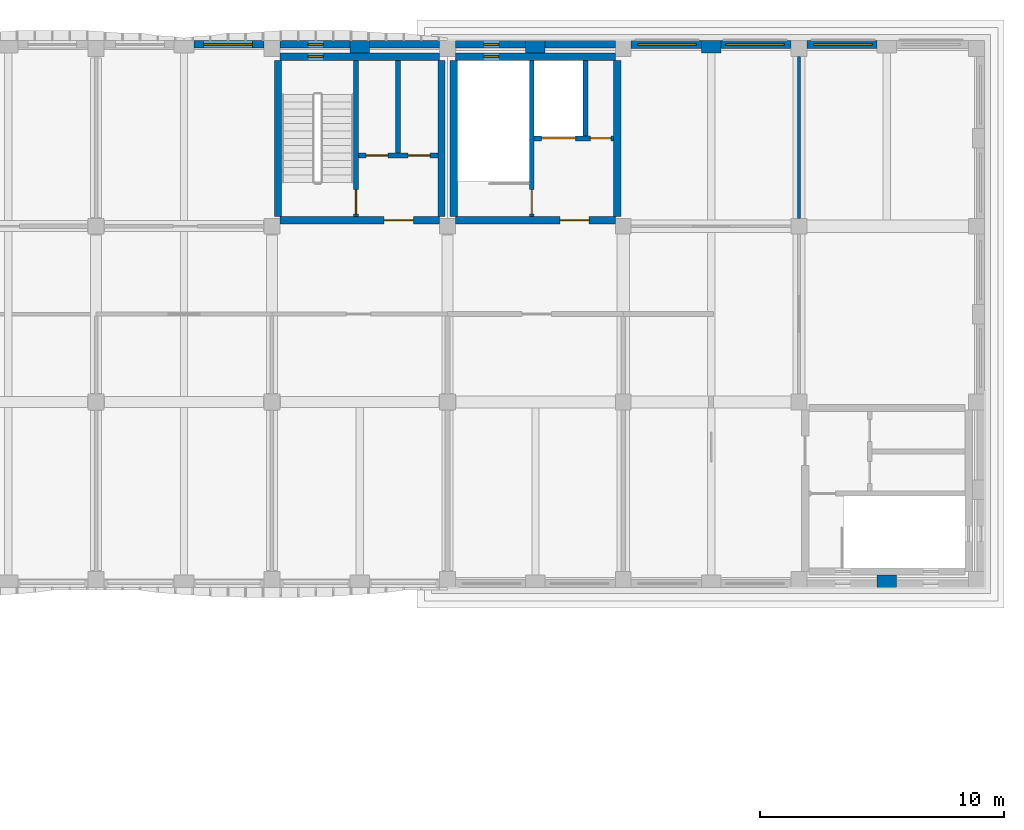
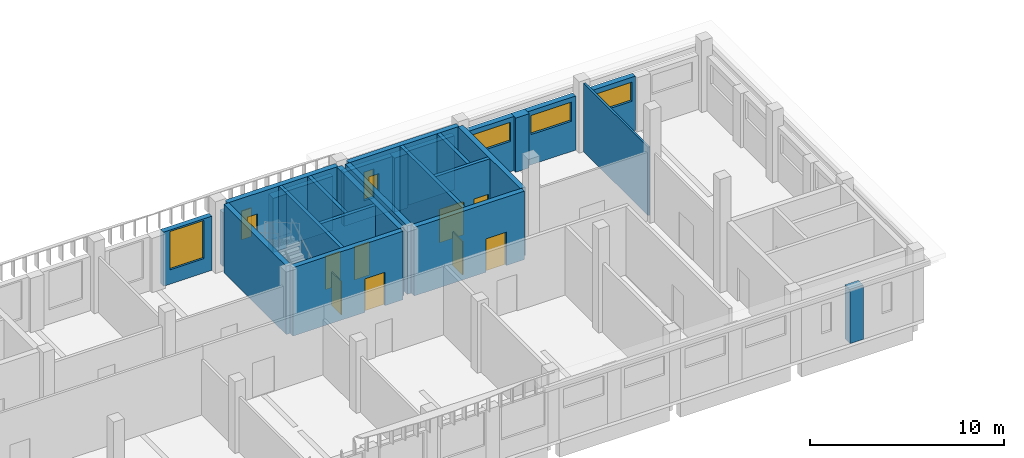
# One storey, part 31 of 58: 27 walls, 8 doors, 8 windows, 16 openings.
"""IFC4 building model written with IfcOpenShell, lengths in metres."""

from ifc_helpers import new_model, si_unit, direction, frame, frame_2d, origin, place, context, subcontext, project, spatial, rectangle, extrude, material, layer, layer_set, type_object, element, fill, save


model = new_model("IFC4")

# Units and contexts
model_context = context("Model", 3, precision=1e-05, world=origin(), true_north=direction((0.0, 1.0)))
body_context = subcontext(model_context, "Body", "Model", "MODEL_VIEW")
ifc_project = project(units=[si_unit("LENGTHUNIT", "METRE"), si_unit("AREAUNIT", "SQUARE_METRE"), si_unit("VOLUMEUNIT", "CUBIC_METRE"), si_unit("PLANEANGLEUNIT", "RADIAN"), si_unit("MASSUNIT", "GRAM", prefix="KILO")], contexts=[model_context])

# Site, building, storey
site_placement = place(None, origin())
site = spatial("IfcSite", under=ifc_project, at=site_placement, CompositionType="ELEMENT")
building_placement = place(site_placement, origin())
building = spatial("IfcBuilding", under=site, at=building_placement, Name="Ussher Court Research Institute", CompositionType="ELEMENT")
storey_placement = place(building_placement, frame((0.0, 0.0, 9.89990234375)))
storey = spatial("IfcBuildingStorey", under=building, at=storey_placement, Name="L02", CompositionType="ELEMENT", Elevation=9.89990234375)

# Wall
ifc_material_1 = material(Name="Insulated sandwich wall panel")
ifc_layer_1 = layer(ifc_material_1, 0.1201171875)
ifc_layer_set_1 = layer_set([ifc_layer_1], Name="Insulated sandwich wall panel")
wall_type_1 = type_object("IfcWallType", Name="Clean-room panel 120 EI 60", PredefinedType="PARTITIONING", material=ifc_layer_set_1)
wall_1_placement = place(storey_placement, frame((96.60009765625, 83.52490234375, 0.0), z_axis=(0.0, 0.0, 1.0), x_axis=(0.0, 1.0, 0.0)))
element("IfcWall", 1, at=wall_1_placement, inside=storey, type_object=wall_type_1, Name="Fire partition", PredefinedType="PARTITIONING", context=body_context, shape_type="SweptSolid", body=[
    extrude(rectangle(XDim=6.625, YDim=0.1201171875, at=frame_2d((3.3125, 0.0))), origin(), (0.0, 0.0, 1.0), 4.300048828125),
])

# Wall, opening, window
ifc_material_2 = material(Name="Faience facing on insulated blockwork", Category="masonry")
ifc_layer_2 = layer(ifc_material_2, 0.320068359375)
ifc_layer_set_2 = layer_set([ifc_layer_2], Name="Faience facing on insulated blockwork")
wall_type_2 = type_object("IfcWallType", Name="Clean-room wall 320 faience faced insulated panel", PredefinedType="SOLIDWALL", material=ifc_layer_set_2)
wall_2_placement = place(storey_placement, frame((89.72509765625, 90.639892578125, 0.0), z_axis=(0.0, 0.0, 1.0), x_axis=(1.0, 0.0, 0.0)))
wall_2 = element("IfcWall", 2, at=wall_2_placement, inside=storey, type_object=wall_type_2, Name="External wall EW3 L02", PredefinedType="SOLIDWALL", context=body_context, shape_type="SweptSolid", body=[
    extrude(rectangle(XDim=2.875, YDim=0.320068359375, at=frame_2d((1.4375, 0.0))), origin(), (0.0, 0.0, 1.0), 3.400146484375),
])
opening_1_placement = place(wall_2_placement, frame((0.27490234375, 0.0, 1.89990234375)))
opening_1 = element("IfcOpeningElement", 3, at=opening_1_placement, cuts=wall_2, Name="Opening W04", PredefinedType="OPENING", context=body_context, shape_type="SweptSolid", body=[
    extrude(rectangle(XDim=2.39990234375, YDim=1.199951171875, at=frame_2d((1.199951171875, 0.60009765625))), frame((0.0, 0.169921875, 0.0), z_axis=(0.0, -1.0, 0.0), x_axis=(1.0, 0.0, 0.0)), (0.0, 0.0, 1.0), 0.340087890625),
])
ifc_material_3 = material(Name="Bronze anodised aluminium with double glazing", Category="aluminium")
window_type_1 = type_object("IfcWindowType", Name="Clean-room clerestory window 2400x1200", PartitioningType="TRIPLE_PANEL_HORIZONTAL", PredefinedType="WINDOW", material=ifc_material_3)
window_1_placement = place(opening_1_placement, origin())
window_1 = element("IfcWindow", 4, at=window_1_placement, inside=storey, type_object=window_type_1, Name="Window W04 L02", OverallHeight=1.199951171875, OverallWidth=2.39990234375, PartitioningType="SINGLE_PANEL", PredefinedType="WINDOW", context=body_context, shape_type="SweptSolid", body=[
    extrude(rectangle(XDim=2.39990234375, YDim=1.199951171875, at=frame_2d((1.199951171875, 0.60009765625))), frame((0.0, 0.030029296875, 0.0), z_axis=(0.0, -1.0, 0.0), x_axis=(1.0, 0.0, 0.0)), (0.0, 0.0, 1.0), 0.06005859375),
])
fill(opening_1, window_1)

wall_3_placement = place(storey_placement, frame((93.39990234375, 90.639892578125, 0.0), z_axis=(0.0, 0.0, 1.0), x_axis=(1.0, 0.0, 0.0)))
wall_3 = element("IfcWall", 5, at=wall_3_placement, inside=storey, type_object=wall_type_2, Name="External wall EW3 L02", PredefinedType="SOLIDWALL", context=body_context, shape_type="SweptSolid", body=[
    extrude(rectangle(XDim=2.875, YDim=0.320068359375, at=frame_2d((1.4375, 0.0))), origin(), (0.0, 0.0, 1.0), 3.400146484375),
])
opening_2_placement = place(wall_3_placement, frame((0.199951171875, 0.0, 1.89990234375)))
opening_2 = element("IfcOpeningElement", 6, at=opening_2_placement, cuts=wall_3, Name="Opening W04", PredefinedType="OPENING", context=body_context, shape_type="SweptSolid", body=[
    extrude(rectangle(XDim=2.39990234375, YDim=1.199951171875, at=frame_2d((1.199951171875, 0.60009765625))), frame((0.0, 0.169921875, 0.0), z_axis=(0.0, -1.0, 0.0), x_axis=(1.0, 0.0, 0.0)), (0.0, 0.0, 1.0), 0.340087890625),
])
window_2_placement = place(opening_2_placement, origin())
window_2 = element("IfcWindow", 7, at=window_2_placement, inside=storey, type_object=window_type_1, Name="Window W04 L02", OverallHeight=1.199951171875, OverallWidth=2.39990234375, PartitioningType="SINGLE_PANEL", PredefinedType="WINDOW", context=body_context, shape_type="SweptSolid", body=[
    extrude(rectangle(XDim=2.39990234375, YDim=1.199951171875, at=frame_2d((1.199951171875, 0.60009765625))), frame((0.0, 0.030029296875, 0.0), z_axis=(0.0, -1.0, 0.0), x_axis=(1.0, 0.0, 0.0)), (0.0, 0.0, 1.0), 0.06005859375),
])
fill(opening_2, window_2)

wall_4_placement = place(storey_placement, frame((96.925048828125, 90.639892578125, 0.0), z_axis=(0.0, 0.0, 1.0), x_axis=(1.0, 0.0, 0.0)))
wall_4 = element("IfcWall", 8, at=wall_4_placement, inside=storey, type_object=wall_type_2, Name="External wall EW3 L02", PredefinedType="SOLIDWALL", context=body_context, shape_type="SweptSolid", body=[
    extrude(rectangle(XDim=2.875, YDim=0.320068359375, at=frame_2d((1.4375, 0.0))), origin(), (0.0, 0.0, 1.0), 3.400146484375),
])
opening_3_placement = place(wall_4_placement, frame((0.27490234375, 0.0, 1.89990234375)))
opening_3 = element("IfcOpeningElement", 9, at=opening_3_placement, cuts=wall_4, Name="Opening W04", PredefinedType="OPENING", context=body_context, shape_type="SweptSolid", body=[
    extrude(rectangle(XDim=2.39990234375, YDim=1.199951171875, at=frame_2d((1.199951171875, 0.60009765625))), frame((0.0, 0.169921875, 0.0), z_axis=(0.0, -1.0, 0.0), x_axis=(1.0, 0.0, 0.0)), (0.0, 0.0, 1.0), 0.340087890625),
])
window_3_placement = place(opening_3_placement, origin())
window_3 = element("IfcWindow", 10, at=window_3_placement, inside=storey, type_object=window_type_1, Name="Window W04 L02", OverallHeight=1.199951171875, OverallWidth=2.39990234375, PartitioningType="SINGLE_PANEL", PredefinedType="WINDOW", context=body_context, shape_type="SweptSolid", body=[
    extrude(rectangle(XDim=2.39990234375, YDim=1.199951171875, at=frame_2d((1.199951171875, 0.60009765625))), frame((0.0, 0.030029296875, 0.0), z_axis=(0.0, -1.0, 0.0), x_axis=(1.0, 0.0, 0.0)), (0.0, 0.0, 1.0), 0.06005859375),
])
fill(opening_3, window_3)

ifc_material_4 = material(Name="Blockwork with cream render", Category="masonry")
ifc_layer_3 = layer(ifc_material_4, 0.300048828125)
ifc_layer_set_3 = layer_set([ifc_layer_3], Name="Blockwork with cream render")
wall_type_3 = type_object("IfcWallType", Name="External wall 300 cream render", PredefinedType="SOLIDWALL", material=ifc_layer_set_3)
wall_5_placement = place(storey_placement, frame((71.800048828125, 90.64990234375, 0.0), z_axis=(0.0, 0.0, 1.0), x_axis=(1.0, 0.0, 0.0)))
wall_5 = element("IfcWall", 11, at=wall_5_placement, inside=storey, type_object=wall_type_3, Name="External wall EW1 L02", PredefinedType="SOLIDWALL", context=body_context, shape_type="SweptSolid", body=[
    extrude(rectangle(XDim=2.875, YDim=0.300048828125, at=frame_2d((1.4375, 0.0))), origin(), (0.0, 0.0, 1.0), 3.400146484375),
])
opening_4_placement = place(wall_5_placement, frame((0.39990234375, 0.0, 0.89990234375)))
opening_4 = element("IfcOpeningElement", 12, at=opening_4_placement, cuts=wall_5, Name="Opening W14", PredefinedType="OPENING", context=body_context, shape_type="SweptSolid", body=[
    extrude(rectangle(XDim=2.0, YDim=2.39990234375, at=frame_2d((1.0, 1.199951171875))), frame((0.0, 0.16015625, 0.0), z_axis=(0.0, -1.0, 0.0), x_axis=(1.0, 0.0, 0.0)), (0.0, 0.0, 1.0), 0.320068359375),
])
ifc_material_5 = material(Name="Bronze anodised aluminium with double glazing", Category="aluminium")
window_type_2 = type_object("IfcWindowType", Name="Seminar and write-up office window 2000x2400", PartitioningType="DOUBLE_PANEL_VERTICAL", PredefinedType="WINDOW", material=ifc_material_5)
window_4_placement = place(opening_4_placement, origin())
window_4 = element("IfcWindow", 13, at=window_4_placement, inside=storey, type_object=window_type_2, Name="Window W14 L02", OverallHeight=2.39990234375, OverallWidth=2.0, PartitioningType="SINGLE_PANEL", PredefinedType="WINDOW", context=body_context, shape_type="SweptSolid", body=[
    extrude(rectangle(XDim=2.0, YDim=2.39990234375, at=frame_2d((1.0, 1.199951171875))), frame((0.0, 0.030029296875, 0.0), z_axis=(0.0, -1.0, 0.0), x_axis=(1.0, 0.0, 0.0)), (0.0, 0.0, 1.0), 0.06005859375),
])
fill(opening_4, window_4)

ifc_material_6 = material(Name="Limestone facing on blockwork", Category="masonry")
ifc_layer_4 = layer(ifc_material_6, 0.300048828125)
ifc_layer_set_4 = layer_set([ifc_layer_4], Name="Limestone facing on blockwork")
wall_type_4 = type_object("IfcWallType", Name="External wall 300 stair enclosure", PredefinedType="SOLIDWALL", material=ifc_layer_set_4)
wall_6_placement = place(storey_placement, frame((75.324951171875, 90.64990234375, 0.0), z_axis=(0.0, 0.0, 1.0), x_axis=(1.0, 0.0, 0.0)))
wall_6 = element("IfcWall", 14, at=wall_6_placement, inside=storey, type_object=wall_type_4, Name="External wall EW5 L02", PredefinedType="SOLIDWALL", context=body_context, shape_type="SweptSolid", body=[
    extrude(rectangle(XDim=2.875, YDim=0.300048828125, at=frame_2d((1.4375, 0.0))), origin(), (0.0, 0.0, 1.0), 3.400146484375),
])
opening_5_placement = place(wall_6_placement, frame((1.175048828125, 0.0, 1.199951171875)))
opening_5 = element("IfcOpeningElement", 15, at=opening_5_placement, cuts=wall_6, Name="Opening W25", PredefinedType="OPENING", context=body_context, shape_type="SweptSolid", body=[
    extrude(rectangle(XDim=0.60009765625, YDim=1.800048828125, at=frame_2d((0.300048828125, 0.89990234375))), frame((0.0, 0.16015625, 0.0), z_axis=(0.0, -1.0, 0.0), x_axis=(1.0, 0.0, 0.0)), (0.0, 0.0, 1.0), 0.320068359375),
])
ifc_material_7 = material(Name="Bronze anodised aluminium with double glazing", Category="aluminium")
window_type_3 = type_object("IfcWindowType", Name="Stair light slot window 600x1800 fire-resisting glazing", PartitioningType="SINGLE_PANEL", PredefinedType="WINDOW", material=ifc_material_7)
window_5_placement = place(opening_5_placement, origin())
window_5 = element("IfcWindow", 16, at=window_5_placement, inside=storey, type_object=window_type_3, Name="Window W25 L02", OverallHeight=1.800048828125, OverallWidth=0.60009765625, PartitioningType="SINGLE_PANEL", PredefinedType="WINDOW", context=body_context, shape_type="SweptSolid", body=[
    extrude(rectangle(XDim=0.60009765625, YDim=1.800048828125, at=frame_2d((0.300048828125, 0.89990234375))), frame((0.0, 0.030029296875, 0.0), z_axis=(0.0, -1.0, 0.0), x_axis=(1.0, 0.0, 0.0)), (0.0, 0.0, 1.0), 0.06005859375),
])
fill(opening_5, window_5)

# Wall
wall_7_placement = place(storey_placement, frame((79.0, 90.64990234375, 0.0), z_axis=(0.0, 0.0, 1.0), x_axis=(1.0, 0.0, 0.0)))
element("IfcWall", 17, at=wall_7_placement, inside=storey, type_object=wall_type_4, Name="External wall EW5 L02", PredefinedType="SOLIDWALL", context=body_context, shape_type="SweptSolid", body=[
    extrude(rectangle(XDim=2.875, YDim=0.300048828125, at=frame_2d((1.4375, 0.0))), origin(), (0.0, 0.0, 1.0), 3.400146484375),
])

# Wall, opening, window
wall_8_placement = place(storey_placement, frame((82.52490234375, 90.64990234375, 0.0), z_axis=(0.0, 0.0, 1.0), x_axis=(1.0, 0.0, 0.0)))
wall_8 = element("IfcWall", 18, at=wall_8_placement, inside=storey, type_object=wall_type_4, Name="External wall EW5 L02", PredefinedType="SOLIDWALL", context=body_context, shape_type="SweptSolid", body=[
    extrude(rectangle(XDim=2.875, YDim=0.300048828125, at=frame_2d((1.4375, 0.0))), origin(), (0.0, 0.0, 1.0), 3.400146484375),
])
opening_6_placement = place(wall_8_placement, frame((1.175048828125, 0.0, 1.199951171875)))
opening_6 = element("IfcOpeningElement", 19, at=opening_6_placement, cuts=wall_8, Name="Opening W25", PredefinedType="OPENING", context=body_context, shape_type="SweptSolid", body=[
    extrude(rectangle(XDim=0.60009765625, YDim=1.800048828125, at=frame_2d((0.300048828125, 0.89990234375))), frame((0.0, 0.16015625, 0.0), z_axis=(0.0, -1.0, 0.0), x_axis=(1.0, 0.0, 0.0)), (0.0, 0.0, 1.0), 0.320068359375),
])
window_6_placement = place(opening_6_placement, origin())
window_6 = element("IfcWindow", 20, at=window_6_placement, inside=storey, type_object=window_type_3, Name="Window W25 L02", OverallHeight=1.800048828125, OverallWidth=0.60009765625, PartitioningType="SINGLE_PANEL", PredefinedType="WINDOW", context=body_context, shape_type="SweptSolid", body=[
    extrude(rectangle(XDim=0.60009765625, YDim=1.800048828125, at=frame_2d((0.300048828125, 0.89990234375))), frame((0.0, 0.030029296875, 0.0), z_axis=(0.0, -1.0, 0.0), x_axis=(1.0, 0.0, 0.0)), (0.0, 0.0, 1.0), 0.06005859375),
])
fill(opening_6, window_6)

# Walls
wall_9_placement = place(storey_placement, frame((86.199951171875, 90.64990234375, 0.0), z_axis=(0.0, 0.0, 1.0), x_axis=(1.0, 0.0, 0.0)))
element("IfcWall", 21, at=wall_9_placement, inside=storey, type_object=wall_type_4, Name="External wall EW5 L02", PredefinedType="SOLIDWALL", context=body_context, shape_type="SweptSolid", body=[
    extrude(rectangle(XDim=2.875, YDim=0.300048828125, at=frame_2d((1.4375, 0.0))), origin(), (0.0, 0.0, 1.0), 3.400146484375),
])
ifc_material_8 = material(Name="Blockwork with cream render", Category="masonry")
ifc_layer_5 = layer(ifc_material_8, 0.5)
ifc_layer_set_5 = layer_set([ifc_layer_5], Name="Blockwork with cream render")
wall_type_5 = type_object("IfcWallType", Name="Pier 800x500 cream render", PredefinedType="SOLIDWALL", material=ifc_layer_set_5)
wall_10_placement = place(storey_placement, frame((78.199951171875, 90.550048828125, 0.0), z_axis=(0.0, 0.0, 1.0), x_axis=(1.0, 0.0, 0.0)))
element("IfcWall", 22, at=wall_10_placement, inside=storey, type_object=wall_type_5, Name="Pier PR1 L02", PredefinedType="SOLIDWALL", context=body_context, shape_type="SweptSolid", body=[
    extrude(rectangle(XDim=0.800048828125, YDim=0.5, at=frame_2d((0.39990234375, 0.0))), origin(), (0.0, 0.0, 1.0), 3.400146484375),
])
ifc_material_9 = material(Name="Rusticated limestone facing on blockwork", Category="masonry")
ifc_layer_6 = layer(ifc_material_9, 0.5)
ifc_layer_set_6 = layer_set([ifc_layer_6], Name="Rusticated limestone facing on blockwork")
wall_type_6 = type_object("IfcWallType", Name="Pier 800x500 rusticated limestone", PredefinedType="SOLIDWALL", material=ifc_layer_set_6)
wall_11_placement = place(storey_placement, frame((85.39990234375, 90.550048828125, 0.0), z_axis=(0.0, 0.0, 1.0), x_axis=(1.0, 0.0, 0.0)))
element("IfcWall", 23, at=wall_11_placement, inside=storey, type_object=wall_type_6, Name="Pier PR2 L02", PredefinedType="SOLIDWALL", context=body_context, shape_type="SweptSolid", body=[
    extrude(rectangle(XDim=0.800048828125, YDim=0.5, at=frame_2d((0.39990234375, 0.0))), origin(), (0.0, 0.0, 1.0), 3.400146484375),
])
wall_12_placement = place(storey_placement, frame((92.60009765625, 90.550048828125, 0.0), z_axis=(0.0, 0.0, 1.0), x_axis=(1.0, 0.0, 0.0)))
element("IfcWall", 24, at=wall_12_placement, inside=storey, type_object=wall_type_6, Name="Pier PR2 L02", PredefinedType="SOLIDWALL", context=body_context, shape_type="SweptSolid", body=[
    extrude(rectangle(XDim=0.7998046875, YDim=0.5, at=frame_2d((0.39990234375, 0.0))), origin(), (0.0, 0.0, 1.0), 3.400146484375),
])
wall_13_placement = place(storey_placement, frame((100.60009765625, 68.64990234375, 0.0), z_axis=(0.0, 0.0, 1.0), x_axis=(-1.0, 0.0, 0.0)))
element("IfcWall", 25, at=wall_13_placement, inside=storey, type_object=wall_type_6, Name="Pier PR2 L02", PredefinedType="SOLIDWALL", context=body_context, shape_type="SweptSolid", body=[
    extrude(rectangle(XDim=0.800048828125, YDim=0.5, at=frame_2d((0.39990234375, 0.0))), origin(), (0.0, 0.0, 1.0), 3.400146484375),
])

# Wall, opening, door
ifc_material_10 = material(Name="Concrete C35/45", Category="concrete")
ifc_layer_7 = layer(ifc_material_10, 0.199951171875)
ifc_layer_set_7 = layer_set([ifc_layer_7], Name="Concrete C35/45")
wall_type_7 = type_object("IfcWallType", Name="RC core wall 200", PredefinedType="SHEAR", material=ifc_layer_set_7)
wall_14_placement = place(storey_placement, frame((85.64990234375, 83.60009765625, 0.0), z_axis=(0.0, 0.0, 1.0), x_axis=(0.0, 1.0, 0.0)))
wall_14 = element("IfcWall", 26, at=wall_14_placement, inside=storey, type_object=wall_type_7, Name="Core wall C1", PredefinedType="SHEAR", context=body_context, shape_type="SweptSolid", body=[
    extrude(rectangle(XDim=6.39990234375, YDim=0.199951171875, at=frame_2d((3.199951171875, 0.0))), origin(), (0.0, 0.0, 1.0), 4.300048828125),
])
opening_7_placement = place(wall_14_placement, frame((0.10009765625, 0.0, 0.0)))
opening_7 = element("IfcOpeningElement", 27, at=opening_7_placement, cuts=wall_14, Name="Opening D02046", PredefinedType="OPENING", context=body_context, shape_type="SweptSolid", body=[
    extrude(rectangle(XDim=1.0, YDim=2.10009765625, at=frame_2d((0.5, 1.050048828125))), frame((0.0, 0.10986328125, 0.0), z_axis=(0.0, -1.0, 0.0), x_axis=(1.0, 0.0, 0.0)), (0.0, 0.0, 1.0), 0.219970703125),
])
ifc_material_11 = material(Name="Painted steel faced fire door", Category="steel")
door_type_1 = type_object("IfcDoorType", Name="Fire door 1000x2100 FD60", OperationType="NOTDEFINED", PredefinedType="DOOR", material=ifc_material_11)
door_1_placement = place(opening_7_placement, origin())
door_1 = element("IfcDoor", 28, at=door_1_placement, inside=storey, type_object=door_type_1, Name="Door D02046", OperationType="SINGLE_SWING_LEFT", OverallHeight=2.10009765625, OverallWidth=1.0, PredefinedType="DOOR", context=body_context, shape_type="SweptSolid", body=[
    extrude(rectangle(XDim=1.0, YDim=2.10009765625, at=frame_2d((0.5, 1.050048828125))), frame((0.0, 0.02490234375, 0.0), z_axis=(0.0, -1.0, 0.0), x_axis=(1.0, 0.0, 0.0)), (0.0, 0.0, 1.0), 0.050048828125),
])
fill(opening_7, door_1)

# Wall, openings, doors
wall_15_placement = place(storey_placement, frame((89.0, 86.800048828125, 0.0), z_axis=(0.0, 0.0, 1.0), x_axis=(-1.0, 0.0, 0.0)))
wall_15 = element("IfcWall", 29, at=wall_15_placement, inside=storey, type_object=wall_type_7, Name="Core wall C1", PredefinedType="SHEAR", context=body_context, shape_type="SweptSolid", body=[
    extrude(rectangle(XDim=3.25, YDim=0.199951171875, at=frame_2d((1.625, 0.0))), origin(), (0.0, 0.0, 1.0), 4.300048828125),
])
opening_8_placement = place(wall_15_placement, frame((1.550048828125, 0.0, 0.0)))
opening_8 = element("IfcOpeningElement", 30, at=opening_8_placement, cuts=wall_15, Name="Opening LD35", PredefinedType="OPENING", context=body_context, shape_type="SweptSolid", body=[
    extrude(rectangle(XDim=1.39990234375, YDim=2.10009765625, at=frame_2d((0.699951171875, 1.050048828125))), frame((0.0, 0.10986328125, 0.0), z_axis=(0.0, -1.0, 0.0), x_axis=(1.0, 0.0, 0.0)), (0.0, 0.0, 1.0), 0.219970703125),
])
opening_9_placement = place(wall_15_placement, frame((0.10009765625, 0.0, 0.0)))
opening_9 = element("IfcOpeningElement", 31, at=opening_9_placement, cuts=wall_15, Name="Opening D02055", PredefinedType="OPENING", context=body_context, shape_type="SweptSolid", body=[
    extrude(rectangle(XDim=0.85009765625, YDim=2.10009765625, at=frame_2d((0.425048828125, 1.050048828125))), frame((0.0, 0.10986328125, 0.0), z_axis=(0.0, -1.0, 0.0), x_axis=(1.0, 0.0, 0.0)), (0.0, 0.0, 1.0), 0.219970703125),
])
ifc_material_12 = material(Name="Painted steel faced fire door", Category="steel")
door_type_2 = type_object("IfcDoorType", Name="Fire door 850x2100 FD60", OperationType="NOTDEFINED", PredefinedType="DOOR", material=ifc_material_12)
door_2_placement = place(opening_9_placement, origin())
door_2 = element("IfcDoor", 32, at=door_2_placement, inside=storey, type_object=door_type_2, Name="Door D02055", OperationType="SINGLE_SWING_LEFT", OverallHeight=2.10009765625, OverallWidth=0.85009765625, PredefinedType="DOOR", context=body_context, shape_type="SweptSolid", body=[
    extrude(rectangle(XDim=0.85009765625, YDim=2.10009765625, at=frame_2d((0.425048828125, 1.050048828125))), frame((0.0, 0.02490234375, 0.0), z_axis=(0.0, -1.0, 0.0), x_axis=(1.0, 0.0, 0.0)), (0.0, 0.0, 1.0), 0.050048828125),
])
fill(opening_9, door_2)
ifc_material_13 = material(Name="Stainless steel lift door", Category="steel")
door_type_3 = type_object("IfcDoorType", Name="Lift landing door 1400x2100 sliding", OperationType="DOUBLE_DOOR_SLIDING", PredefinedType="DOOR", material=ifc_material_13)
door_3_placement = place(opening_8_placement, origin())
door_3 = element("IfcDoor", 33, at=door_3_placement, inside=storey, type_object=door_type_3, Name="Landing door C1-1 L02", OperationType="DOUBLE_DOOR_SLIDING", OverallHeight=2.10009765625, OverallWidth=1.39990234375, PredefinedType="DOOR", context=body_context, shape_type="SweptSolid", body=[
    extrude(rectangle(XDim=1.39990234375, YDim=2.10009765625, at=frame_2d((0.699951171875, 1.050048828125))), frame((0.0, 0.02490234375, 0.0), z_axis=(0.0, -1.0, 0.0), x_axis=(1.0, 0.0, 0.0)), (0.0, 0.0, 1.0), 0.050048828125),
])
fill(opening_8, door_3)

# Wall
wall_16_placement = place(storey_placement, frame((87.85009765625, 86.89990234375, 0.0), z_axis=(0.0, 0.0, 1.0), x_axis=(0.0, 1.0, 0.0)))
element("IfcWall", 34, at=wall_16_placement, inside=storey, type_object=wall_type_7, Name="Core wall C1", PredefinedType="SHEAR", context=body_context, shape_type="SweptSolid", body=[
    extrude(rectangle(XDim=3.10009765625, YDim=0.199951171875, at=frame_2d((1.550048828125, 0.0))), origin(), (0.0, 0.0, 1.0), 4.300048828125),
])

# Wall, opening, door
wall_17_placement = place(storey_placement, frame((78.449951171875, 83.60009765625, 0.0), z_axis=(0.0, 0.0, 1.0), x_axis=(0.0, 1.0, 0.0)))
wall_17 = element("IfcWall", 35, at=wall_17_placement, inside=storey, type_object=wall_type_7, Name="Core wall D3", PredefinedType="SHEAR", context=body_context, shape_type="SweptSolid", body=[
    extrude(rectangle(XDim=6.39990234375, YDim=0.199951171875, at=frame_2d((3.199951171875, 0.0))), origin(), (0.0, 0.0, 1.0), 4.300048828125),
])
opening_10_placement = place(wall_17_placement, frame((0.10009765625, 0.0, 0.0)))
opening_10 = element("IfcOpeningElement", 36, at=opening_10_placement, cuts=wall_17, Name="Opening D02039", PredefinedType="OPENING", context=body_context, shape_type="SweptSolid", body=[
    extrude(rectangle(XDim=1.0, YDim=2.10009765625, at=frame_2d((0.5, 1.050048828125))), frame((0.0, 0.10986328125, 0.0), z_axis=(0.0, -1.0, 0.0), x_axis=(1.0, 0.0, 0.0)), (0.0, 0.0, 1.0), 0.219970703125),
])
door_4_placement = place(opening_10_placement, origin())
door_4 = element("IfcDoor", 37, at=door_4_placement, inside=storey, type_object=door_type_1, Name="Door D02039", OperationType="SINGLE_SWING_LEFT", OverallHeight=2.10009765625, OverallWidth=1.0, PredefinedType="DOOR", context=body_context, shape_type="SweptSolid", body=[
    extrude(rectangle(XDim=1.0, YDim=2.10009765625, at=frame_2d((0.5, 1.050048828125))), frame((0.0, 0.02490234375, 0.0), z_axis=(0.0, -1.0, 0.0), x_axis=(1.0, 0.0, 0.0)), (0.0, 0.0, 1.0), 0.050048828125),
])
fill(opening_10, door_4)

# Wall, openings, doors
wall_18_placement = place(storey_placement, frame((81.800048828125, 86.10009765625, 0.0), z_axis=(0.0, 0.0, 1.0), x_axis=(-1.0, 0.0, 0.0)))
wall_18 = element("IfcWall", 38, at=wall_18_placement, inside=storey, type_object=wall_type_7, Name="Core wall D3", PredefinedType="SHEAR", context=body_context, shape_type="SweptSolid", body=[
    extrude(rectangle(XDim=3.25, YDim=0.199951171875, at=frame_2d((1.625, 0.0))), origin(), (0.0, 0.0, 1.0), 4.300048828125),
])
opening_11_placement = place(wall_18_placement, frame((2.03759765625, 0.0, 0.0)))
opening_11 = element("IfcOpeningElement", 39, at=opening_11_placement, cuts=wall_18, Name="Opening D02041", PredefinedType="OPENING", context=body_context, shape_type="SweptSolid", body=[
    extrude(rectangle(XDim=0.89990234375, YDim=2.10009765625, at=frame_2d((0.449951171875, 1.050048828125))), frame((0.0, 0.10986328125, 0.0), z_axis=(0.0, -1.0, 0.0), x_axis=(1.0, 0.0, 0.0)), (0.0, 0.0, 1.0), 0.219970703125),
])
opening_12_placement = place(wall_18_placement, frame((0.3125, 0.0, 0.0)))
opening_12 = element("IfcOpeningElement", 40, at=opening_12_placement, cuts=wall_18, Name="Opening D02044", PredefinedType="OPENING", context=body_context, shape_type="SweptSolid", body=[
    extrude(rectangle(XDim=0.89990234375, YDim=2.10009765625, at=frame_2d((0.449951171875, 1.050048828125))), frame((0.0, 0.10986328125, 0.0), z_axis=(0.0, -1.0, 0.0), x_axis=(1.0, 0.0, 0.0)), (0.0, 0.0, 1.0), 0.219970703125),
])
ifc_material_14 = material(Name="Painted steel faced fire door", Category="steel")
door_type_4 = type_object("IfcDoorType", Name="Fire door 900x2100 FD60", OperationType="NOTDEFINED", PredefinedType="DOOR", material=ifc_material_14)
door_5_placement = place(opening_11_placement, origin())
door_5 = element("IfcDoor", 41, at=door_5_placement, inside=storey, type_object=door_type_4, Name="Door D02041", OperationType="SINGLE_SWING_RIGHT", OverallHeight=2.10009765625, OverallWidth=0.89990234375, PredefinedType="DOOR", context=body_context, shape_type="SweptSolid", body=[
    extrude(rectangle(XDim=0.89990234375, YDim=2.10009765625, at=frame_2d((0.449951171875, 1.050048828125))), frame((0.0, 0.02490234375, 0.0), z_axis=(0.0, -1.0, 0.0), x_axis=(1.0, 0.0, 0.0)), (0.0, 0.0, 1.0), 0.050048828125),
])
fill(opening_11, door_5)
door_6_placement = place(opening_12_placement, origin())
door_6 = element("IfcDoor", 42, at=door_6_placement, inside=storey, type_object=door_type_4, Name="Door D02044", OperationType="SINGLE_SWING_LEFT", OverallHeight=2.10009765625, OverallWidth=0.89990234375, PredefinedType="DOOR", context=body_context, shape_type="SweptSolid", body=[
    extrude(rectangle(XDim=0.89990234375, YDim=2.10009765625, at=frame_2d((0.449951171875, 1.050048828125))), frame((0.0, 0.02490234375, 0.0), z_axis=(0.0, -1.0, 0.0), x_axis=(1.0, 0.0, 0.0)), (0.0, 0.0, 1.0), 0.050048828125),
])
fill(opening_12, door_6)

# Wall
wall_19_placement = place(storey_placement, frame((80.175048828125, 86.199951171875, 0.0), z_axis=(0.0, 0.0, 1.0), x_axis=(0.0, 1.0, 0.0)))
element("IfcWall", 43, at=wall_19_placement, inside=storey, type_object=wall_type_7, Name="Core wall D3", PredefinedType="SHEAR", context=body_context, shape_type="SweptSolid", body=[
    extrude(rectangle(XDim=3.800048828125, YDim=0.199951171875, at=frame_2d((1.89990234375, 0.0))), origin(), (0.0, 0.0, 1.0), 4.300048828125),
])

# Wall, opening, door
ifc_material_15 = material(Name="Concrete C35/45", Category="concrete")
ifc_layer_8 = layer(ifc_material_15, 0.300048828125)
ifc_layer_set_8 = layer_set([ifc_layer_8], Name="Concrete C35/45")
wall_type_8 = type_object("IfcWallType", Name="RC core wall 300", PredefinedType="SHEAR", material=ifc_layer_set_8)
wall_20_placement = place(storey_placement, frame((82.52490234375, 83.449951171875, 0.0), z_axis=(0.0, 0.0, 1.0), x_axis=(1.0, 0.0, 0.0)))
wall_20 = element("IfcWall", 44, at=wall_20_placement, inside=storey, type_object=wall_type_8, Name="Core wall C1", PredefinedType="SHEAR", context=body_context, shape_type="SweptSolid", body=[
    extrude(rectangle(XDim=6.550048828125, YDim=0.300048828125, at=frame_2d((3.27490234375, 0.0))), origin(), (0.0, 0.0, 1.0), 4.300048828125),
])
opening_13_placement = place(wall_20_placement, frame((4.27490234375, 0.0, 0.0)))
opening_13 = element("IfcOpeningElement", 45, at=opening_13_placement, cuts=wall_20, Name="Opening D02053", PredefinedType="OPENING", context=body_context, shape_type="SweptSolid", body=[
    extrude(rectangle(XDim=1.199951171875, YDim=2.10009765625, at=frame_2d((0.60009765625, 1.050048828125))), frame((0.0, 0.16015625, 0.0), z_axis=(0.0, -1.0, 0.0), x_axis=(1.0, 0.0, 0.0)), (0.0, 0.0, 1.0), 0.320068359375),
])
ifc_material_16 = material(Name="Painted steel faced fire door", Category="steel")
door_type_5 = type_object("IfcDoorType", Name="Fire door 1200x2100 FD60", OperationType="NOTDEFINED", PredefinedType="DOOR", material=ifc_material_16)
door_7_placement = place(opening_13_placement, origin())
door_7 = element("IfcDoor", 46, at=door_7_placement, inside=storey, type_object=door_type_5, Name="Door D02053", OperationType="SINGLE_SWING_RIGHT", OverallHeight=2.10009765625, OverallWidth=1.199951171875, PredefinedType="DOOR", context=body_context, shape_type="SweptSolid", body=[
    extrude(rectangle(XDim=1.199951171875, YDim=2.10009765625, at=frame_2d((0.60009765625, 1.050048828125))), frame((0.0, 0.02490234375, 0.0), z_axis=(0.0, -1.0, 0.0), x_axis=(1.0, 0.0, 0.0)), (0.0, 0.0, 1.0), 0.050048828125),
])
fill(opening_13, door_7)

# Wall, opening, window
wall_21_placement = place(storey_placement, frame((82.52490234375, 90.14990234375, 0.0), z_axis=(0.0, 0.0, 1.0), x_axis=(1.0, 0.0, 0.0)))
wall_21 = element("IfcWall", 47, at=wall_21_placement, inside=storey, type_object=wall_type_8, Name="Core wall C1", PredefinedType="SHEAR", context=body_context, shape_type="SweptSolid", body=[
    extrude(rectangle(XDim=6.550048828125, YDim=0.300048828125, at=frame_2d((3.27490234375, 0.0))), origin(), (0.0, 0.0, 1.0), 4.300048828125),
])
opening_14_placement = place(wall_21_placement, frame((1.175048828125, 0.0, 1.199951171875)))
opening_14 = element("IfcOpeningElement", 48, at=opening_14_placement, cuts=wall_21, Name="Opening W25", PredefinedType="OPENING", context=body_context, shape_type="SweptSolid", body=[
    extrude(rectangle(XDim=0.60009765625, YDim=1.800048828125, at=frame_2d((0.300048828125, 0.89990234375))), frame((0.0, 0.16015625, 0.0), z_axis=(0.0, -1.0, 0.0), x_axis=(1.0, 0.0, 0.0)), (0.0, 0.0, 1.0), 0.320068359375),
])
window_7_placement = place(opening_14_placement, origin())
window_7 = element("IfcWindow", 49, at=window_7_placement, inside=storey, type_object=window_type_3, Name="Window stair light C1 L02", OverallHeight=1.800048828125, OverallWidth=0.60009765625, PartitioningType="SINGLE_PANEL", PredefinedType="WINDOW", context=body_context, shape_type="SweptSolid", body=[
    extrude(rectangle(XDim=0.60009765625, YDim=1.800048828125, at=frame_2d((0.300048828125, 0.89990234375))), frame((0.0, 0.030029296875, 0.0), z_axis=(0.0, -1.0, 0.0), x_axis=(1.0, 0.0, 0.0)), (0.0, 0.0, 1.0), 0.06005859375),
])
fill(opening_14, window_7)

# Walls
for number, where, z_axis, x_axis, name in (
    (50, (82.449951171875, 83.60009765625, 0.0), (0.0, 0.0, 1.0), (0.0, 1.0, 0.0), "Core wall C1"),
    (51, (89.14990234375, 83.60009765625, 0.0), (0.0, 0.0, 1.0), (0.0, 1.0, 0.0), "Core wall C1"),
):
    element("IfcWall", number, at=place(storey_placement, frame(where, z_axis=z_axis, x_axis=x_axis)), inside=storey, type_object=wall_type_8, Name=name, PredefinedType="SHEAR", context=body_context, shape_type="SweptSolid", body=[
        extrude(rectangle(XDim=6.39990234375, YDim=0.300048828125, at=frame_2d((3.199951171875, 0.0))), origin(), (0.0, 0.0, 1.0), 4.300048828125),
    ])

# Wall, opening, door
wall_22_placement = place(storey_placement, frame((75.324951171875, 83.449951171875, 0.0), z_axis=(0.0, 0.0, 1.0), x_axis=(1.0, 0.0, 0.0)))
wall_22 = element("IfcWall", 52, at=wall_22_placement, inside=storey, type_object=wall_type_8, Name="Core wall D3", PredefinedType="SHEAR", context=body_context, shape_type="SweptSolid", body=[
    extrude(rectangle(XDim=6.550048828125, YDim=0.300048828125, at=frame_2d((3.27490234375, 0.0))), origin(), (0.0, 0.0, 1.0), 4.300048828125),
])
opening_15_placement = place(wall_22_placement, frame((4.27490234375, 0.0, 0.0)))
opening_15 = element("IfcOpeningElement", 53, at=opening_15_placement, cuts=wall_22, Name="Opening D02043", PredefinedType="OPENING", context=body_context, shape_type="SweptSolid", body=[
    extrude(rectangle(XDim=1.199951171875, YDim=2.10009765625, at=frame_2d((0.60009765625, 1.050048828125))), frame((0.0, 0.16015625, 0.0), z_axis=(0.0, -1.0, 0.0), x_axis=(1.0, 0.0, 0.0)), (0.0, 0.0, 1.0), 0.320068359375),
])
door_8_placement = place(opening_15_placement, origin())
door_8 = element("IfcDoor", 54, at=door_8_placement, inside=storey, type_object=door_type_5, Name="Door D02043", OperationType="SINGLE_SWING_RIGHT", OverallHeight=2.10009765625, OverallWidth=1.199951171875, PredefinedType="DOOR", context=body_context, shape_type="SweptSolid", body=[
    extrude(rectangle(XDim=1.199951171875, YDim=2.10009765625, at=frame_2d((0.60009765625, 1.050048828125))), frame((0.0, 0.02490234375, 0.0), z_axis=(0.0, -1.0, 0.0), x_axis=(1.0, 0.0, 0.0)), (0.0, 0.0, 1.0), 0.050048828125),
])
fill(opening_15, door_8)

# Wall, opening, window
wall_23_placement = place(storey_placement, frame((75.324951171875, 90.14990234375, 0.0), z_axis=(0.0, 0.0, 1.0), x_axis=(1.0, 0.0, 0.0)))
wall_23 = element("IfcWall", 55, at=wall_23_placement, inside=storey, type_object=wall_type_8, Name="Core wall D3", PredefinedType="SHEAR", context=body_context, shape_type="SweptSolid", body=[
    extrude(rectangle(XDim=6.550048828125, YDim=0.300048828125, at=frame_2d((3.27490234375, 0.0))), origin(), (0.0, 0.0, 1.0), 4.300048828125),
])
opening_16_placement = place(wall_23_placement, frame((1.175048828125, 0.0, 1.199951171875)))
opening_16 = element("IfcOpeningElement", 56, at=opening_16_placement, cuts=wall_23, Name="Opening W25", PredefinedType="OPENING", context=body_context, shape_type="SweptSolid", body=[
    extrude(rectangle(XDim=0.60009765625, YDim=1.800048828125, at=frame_2d((0.300048828125, 0.89990234375))), frame((0.0, 0.16015625, 0.0), z_axis=(0.0, -1.0, 0.0), x_axis=(1.0, 0.0, 0.0)), (0.0, 0.0, 1.0), 0.320068359375),
])
window_8_placement = place(opening_16_placement, origin())
window_8 = element("IfcWindow", 57, at=window_8_placement, inside=storey, type_object=window_type_3, Name="Window stair light D3 L02", OverallHeight=1.800048828125, OverallWidth=0.60009765625, PartitioningType="SINGLE_PANEL", PredefinedType="WINDOW", context=body_context, shape_type="SweptSolid", body=[
    extrude(rectangle(XDim=0.60009765625, YDim=1.800048828125, at=frame_2d((0.300048828125, 0.89990234375))), frame((0.0, 0.030029296875, 0.0), z_axis=(0.0, -1.0, 0.0), x_axis=(1.0, 0.0, 0.0)), (0.0, 0.0, 1.0), 0.06005859375),
])
fill(opening_16, window_8)

# Walls
for number, where, z_axis, x_axis, name in (
    (58, (75.25, 83.60009765625, 0.0), (0.0, 0.0, 1.0), (0.0, 1.0, 0.0), "Core wall D3"),
    (59, (81.949951171875, 83.60009765625, 0.0), (0.0, 0.0, 1.0), (0.0, 1.0, 0.0), "Core wall D3"),
):
    element("IfcWall", number, at=place(storey_placement, frame(where, z_axis=z_axis, x_axis=x_axis)), inside=storey, type_object=wall_type_8, Name=name, PredefinedType="SHEAR", context=body_context, shape_type="SweptSolid", body=[
        extrude(rectangle(XDim=6.39990234375, YDim=0.300048828125, at=frame_2d((3.199951171875, 0.0))), origin(), (0.0, 0.0, 1.0), 4.300048828125),
    ])

save(model, "model.ifc")
